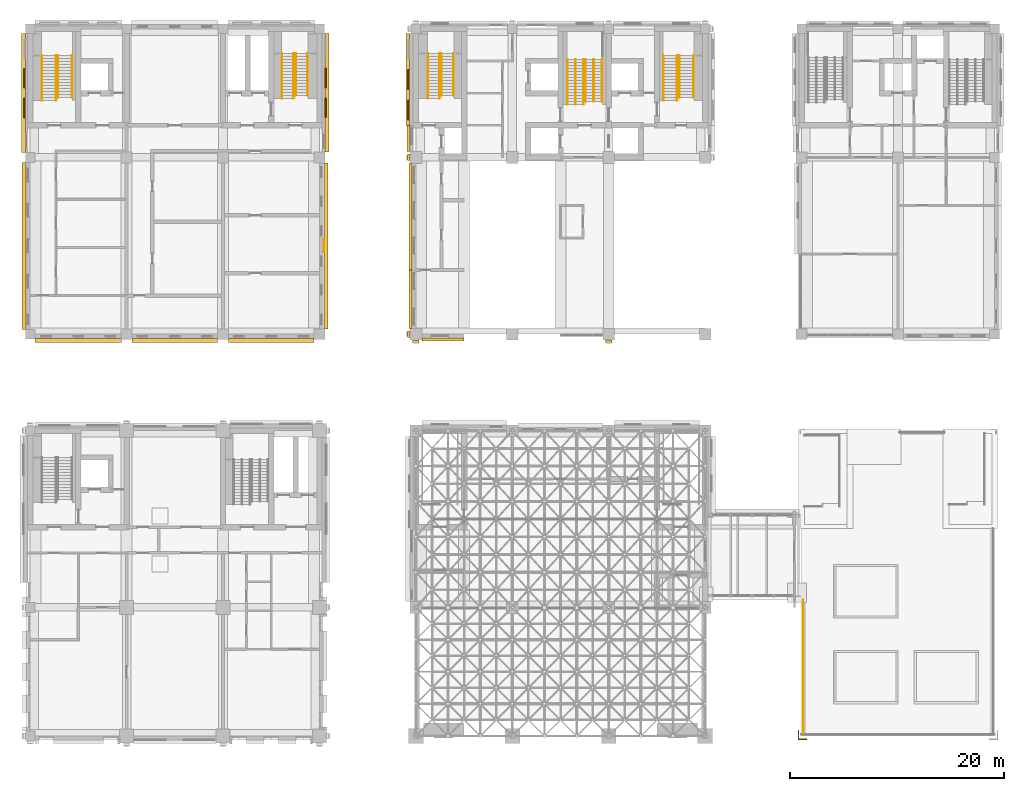
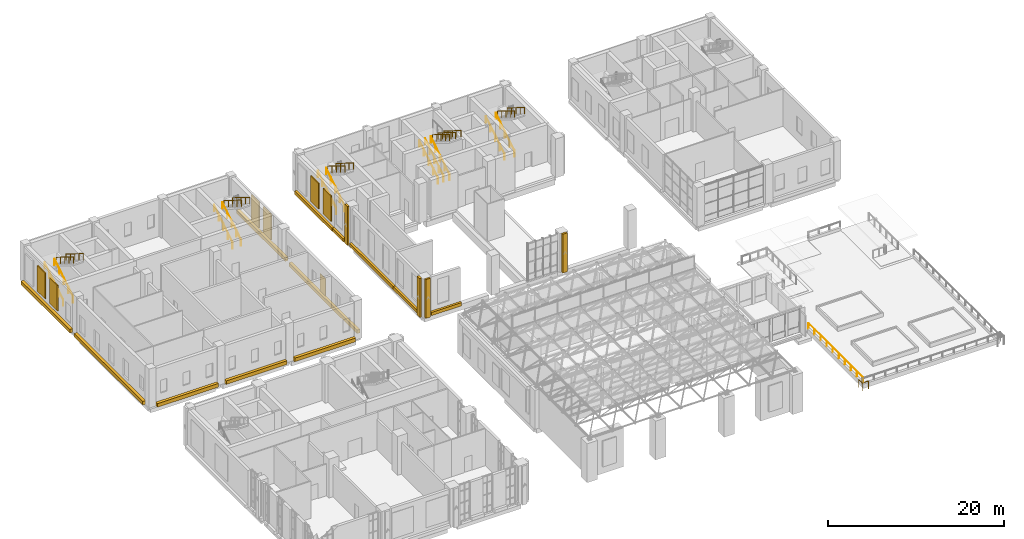
# One storey, part 43 of 53: 24 railings, 23 coverings.
"""IFC4 building model written with IfcOpenShell, lengths in metres."""

from ifc_helpers import new_model, si_unit, direction, frame, origin, origin_2d, place, context, subcontext, project, spatial, rectangle, circle, extrude, material, layer, layer_set, type_object, element, save


model = new_model("IFC4")

# Units and contexts
model_context = context("Model", 3, precision=1e-05, world=origin(), true_north=direction((0.0, 1.0)))
body_context = subcontext(model_context, "Body", "Model", "MODEL_VIEW")
ifc_project = project(units=[si_unit("LENGTHUNIT", "METRE"), si_unit("AREAUNIT", "SQUARE_METRE"), si_unit("VOLUMEUNIT", "CUBIC_METRE"), si_unit("PLANEANGLEUNIT", "RADIAN"), si_unit("MASSUNIT", "GRAM", prefix="KILO")], contexts=[model_context])

# Site, building, storey
site_placement = place(None, origin())
site = spatial("IfcSite", under=ifc_project, at=site_placement, CompositionType="ELEMENT")
building_placement = place(site_placement, origin())
building = spatial("IfcBuilding", under=site, at=building_placement, Name="Aurelan Courthouse", CompositionType="ELEMENT")
storey_placement = place(building_placement, frame((0.0, 0.0, 12.0)))
storey = spatial("IfcBuildingStorey", under=building, at=storey_placement, Name="L02", CompositionType="ELEMENT", Elevation=12.0)

# Coverings
ifc_material_1 = material(Name="Limestone cladding", Category="masonry")
covering_type_1 = type_object("IfcCoveringType", Name="Courtroom Block pilaster fin 600 x 250", PredefinedType="CLADDING", material=ifc_material_1)
for number, where, z_axis, x_axis, name in (
    (1, (36.0, 36.824951171875, 0.0), (0.0, 0.0, 1.0), (1.0, 0.0, 0.0), "Pilaster fin FN-V2-001"),
    (2, (54.0, 36.824951171875, 0.0), (0.0, 0.0, 1.0), (1.0, 0.0, 0.0), "Pilaster fin FN-V2-002"),
):
    element("IfcCovering", number, at=place(storey_placement, frame(where, z_axis=z_axis, x_axis=x_axis)), inside=storey, type_object=covering_type_1, Name=name, PredefinedType="CLADDING", context=body_context, shape_type="SweptSolid", body=[
        extrude(rectangle(XDim=0.60009765625, YDim=0.25, at=origin_2d()), origin(), (0.0, 0.0, 1.0), 5.39990234375),
    ])
for number, where, z_axis, x_axis, name in (
    (3, (35.324951171875, 37.5, 0.0), (0.0, 0.0, 1.0), (1.0, 0.0, 0.0), "Pilaster fin FN-V2-009"),
    (4, (35.324951171875, 54.0, 0.0), (0.0, 0.0, 1.0), (1.0, 0.0, 0.0), "Pilaster fin FN-V2-010"),
):
    element("IfcCovering", number, at=place(storey_placement, frame(where, z_axis=z_axis, x_axis=x_axis)), inside=storey, type_object=covering_type_1, Name=name, PredefinedType="CLADDING", context=body_context, shape_type="SweptSolid", body=[
        extrude(rectangle(XDim=0.25, YDim=0.60009765625, at=origin_2d()), origin(), (0.0, 0.0, 1.0), 5.39990234375),
    ])
covering_type_2 = type_object("IfcCoveringType", Name="Courtroom Block string course 450 x 300", PredefinedType="CLADDING", material=ifc_material_1)
covering_1_placement = place(storey_placement, frame((38.52490234375, 37.0, 0.0), z_axis=(0.0, 0.0, 1.0), x_axis=(1.0, 0.0, 0.0)))
element("IfcCovering", 5, at=covering_1_placement, inside=storey, type_object=covering_type_2, Name="String course SC-V2-001", PredefinedType="CLADDING", context=body_context, shape_type="SweptSolid", body=[
    extrude(rectangle(XDim=3.949951171875, YDim=0.300048828125, at=origin_2d()), origin(), (0.0, 0.0, 1.0), 0.449951171875),
])
covering_2_placement = place(storey_placement, frame((35.5, 40.77490234375, 0.0), z_axis=(0.0, 0.0, 1.0), x_axis=(1.0, 0.0, 0.0)))
element("IfcCovering", 6, at=covering_2_placement, inside=storey, type_object=covering_type_2, Name="String course SC-V2-002", PredefinedType="CLADDING", context=body_context, shape_type="SweptSolid", body=[
    extrude(rectangle(XDim=0.300048828125, YDim=5.449951171875, at=origin_2d()), origin(), (0.0, 0.0, 1.0), 0.449951171875),
])
covering_3_placement = place(storey_placement, frame((35.5, 48.47509765625, 0.0), z_axis=(0.0, 0.0, 1.0), x_axis=(1.0, 0.0, 0.0)))
element("IfcCovering", 7, at=covering_3_placement, inside=storey, type_object=covering_type_2, Name="String course SC-V2-003", PredefinedType="CLADDING", context=body_context, shape_type="SweptSolid", body=[
    extrude(rectangle(XDim=0.300048828125, YDim=9.949951171875, at=origin_2d()), origin(), (0.0, 0.0, 1.0), 0.449951171875),
])
covering_4_placement = place(storey_placement, frame((35.300048828125, 55.77490234375, 0.0), z_axis=(0.0, 0.0, 1.0), x_axis=(1.0, 0.0, 0.0)))
element("IfcCovering", 8, at=covering_4_placement, inside=storey, type_object=covering_type_2, Name="String course SC-V2-004", PredefinedType="CLADDING", context=body_context, shape_type="SweptSolid", body=[
    extrude(rectangle(XDim=0.300048828125, YDim=2.449951171875, at=origin_2d()), origin(), (0.0, 0.0, 1.0), 0.449951171875),
])
covering_5_placement = place(storey_placement, frame((35.25, 61.27490234375, 0.0), z_axis=(0.0, 0.0, 1.0), x_axis=(1.0, 0.0, 0.0)))
element("IfcCovering", 9, at=covering_5_placement, inside=storey, type_object=covering_type_2, Name="String course SC-V2-006", PredefinedType="CLADDING", context=body_context, shape_type="SweptSolid", body=[
    extrude(rectangle(XDim=0.300048828125, YDim=8.550048828125, at=origin_2d()), origin(), (0.0, 0.0, 1.0), 0.449951171875),
])
ifc_material_2 = material(Name="Bronze sheet cladding")
ifc_layer_1 = layer(ifc_material_2, 0.06005859375)
ifc_layer_set_1 = layer_set([ifc_layer_1], Name="Bronze sheet cladding")
covering_type_3 = type_object("IfcCoveringType", Name="Custody Suite blind bay 1200 x 2400", PredefinedType="CLADDING", material=ifc_layer_set_1)
covering_6_placement = place(storey_placement, frame((27.429931640625, 45.75, 0.900146484375), z_axis=(0.0, 0.0, 1.0), x_axis=(1.0, 0.0, 0.0)))
element("IfcCovering", 10, at=covering_6_placement, inside=storey, type_object=covering_type_3, Name="Blind bay BB-V6-L02-007", PredefinedType="CLADDING", context=body_context, shape_type="SweptSolid", body=[
    extrude(rectangle(XDim=0.06005859375, YDim=1.199951171875, at=origin_2d()), origin(), (0.0, 0.0, 1.0), 2.39990234375),
])
covering_type_4 = type_object("IfcCoveringType", Name="Custody Suite string course 500 x 380", PredefinedType="CLADDING", material=ifc_material_1)
covering_7_placement = place(storey_placement, frame((4.47509765625, 36.909912109375, 0.0), z_axis=(0.0, 0.0, 1.0), x_axis=(1.0, 0.0, 0.0)))
element("IfcCovering", 11, at=covering_7_placement, inside=storey, type_object=covering_type_4, Name="String course SC-V6-001", PredefinedType="CLADDING", context=body_context, shape_type="SweptSolid", body=[
    extrude(rectangle(XDim=8.050048828125, YDim=0.3798828125, at=origin_2d()), origin(), (0.0, 0.0, 1.0), 0.5),
])
for number, where, z_axis, x_axis, name in (
    (12, (13.5, 36.909912109375, 0.0), (0.0, 0.0, 1.0), (1.0, 0.0, 0.0), "String course SC-V6-002"),
    (13, (22.5, 36.909912109375, 0.0), (0.0, 0.0, 1.0), (1.0, 0.0, 0.0), "String course SC-V6-003"),
):
    element("IfcCovering", number, at=place(storey_placement, frame(where, z_axis=z_axis, x_axis=x_axis)), inside=storey, type_object=covering_type_4, Name=name, PredefinedType="CLADDING", context=body_context, shape_type="SweptSolid", body=[
        extrude(rectangle(XDim=8.0, YDim=0.3798828125, at=origin_2d()), origin(), (0.0, 0.0, 1.0), 0.5),
    ])
covering_8_placement = place(storey_placement, frame((-0.590087890625, 45.75, 0.0), z_axis=(0.0, 0.0, 1.0), x_axis=(1.0, 0.0, 0.0)))
element("IfcCovering", 14, at=covering_8_placement, inside=storey, type_object=covering_type_4, Name="String course SC-V6-004", PredefinedType="CLADDING", context=body_context, shape_type="SweptSolid", body=[
    extrude(rectangle(XDim=0.3798828125, YDim=15.60009765625, at=origin_2d()), origin(), (0.0, 0.0, 1.0), 0.5),
])
covering_9_placement = place(storey_placement, frame((27.590087890625, 45.75, 0.0), z_axis=(0.0, 0.0, 1.0), x_axis=(1.0, 0.0, 0.0)))
element("IfcCovering", 15, at=covering_9_placement, inside=storey, type_object=covering_type_4, Name="String course SC-V6-005", PredefinedType="CLADDING", context=body_context, shape_type="SweptSolid", body=[
    extrude(rectangle(XDim=0.3798828125, YDim=15.5, at=origin_2d()), origin(), (0.0, 0.0, 1.0), 0.5),
])
covering_10_placement = place(storey_placement, frame((-0.639892578125, 60.0, 0.0), z_axis=(0.0, 0.0, 1.0), x_axis=(1.0, 0.0, 0.0)))
element("IfcCovering", 16, at=covering_10_placement, inside=storey, type_object=covering_type_4, Name="String course SC-V6-006", PredefinedType="CLADDING", context=body_context, shape_type="SweptSolid", body=[
    extrude(rectangle(XDim=0.3798828125, YDim=11.10009765625, at=origin_2d()), origin(), (0.0, 0.0, 1.0), 0.5),
])
covering_11_placement = place(storey_placement, frame((27.68994140625, 60.02490234375, 0.0), z_axis=(0.0, 0.0, 1.0), x_axis=(1.0, 0.0, 0.0)))
element("IfcCovering", 17, at=covering_11_placement, inside=storey, type_object=covering_type_4, Name="String course SC-V6-007", PredefinedType="CLADDING", context=body_context, shape_type="SweptSolid", body=[
    extrude(rectangle(XDim=0.3798828125, YDim=11.050048828125, at=origin_2d()), origin(), (0.0, 0.0, 1.0), 0.5),
])

# Railings
ifc_material_3 = material(Name="Bronze-finished aluminium", Category="aluminium")
railing_type_1 = type_object("IfcRailingType", Name="Garden edge guard 1100", PredefinedType="GUARDRAIL", material=ifc_material_3)
railing_1_placement = place(storey_placement, frame((72.5, -0.300048828125, -0.197998046875)))
element("IfcRailing", 18, at=railing_1_placement, inside=storey, type_object=railing_type_1, Name="Garden edge guard RG-GD05", PredefinedType="GUARDRAIL", context=body_context, shape_type="SweptSolid", body=[
    extrude(circle(Radius=0.02392578125, at=origin_2d()), frame((0.0, 0.0, 1.076171875), z_axis=(-1.0, 0.0, 0.0), x_axis=(0.0, -1.0, 0.0)), (0.0, 0.0, 1.0), 0.800048828125),
    extrude(circle(Radius=0.02392578125, at=origin_2d()), frame((-0.800048828125, 0.0, 1.076171875), z_axis=(0.0, 1.0, 0.0), x_axis=(-1.0, 0.0, 0.0)), (0.0, 0.0, 1.0), 0.800048828125),
    extrude(circle(Radius=0.02099609375, at=origin_2d()), origin(), (0.0, 0.0, 1.0), 1.052001953125),
    extrude(circle(Radius=0.02099609375, at=origin_2d()), frame((-0.800048828125, 0.0, 0.0)), (0.0, 0.0, 1.0), 1.052001953125),
    extrude(circle(Radius=0.02099609375, at=origin_2d()), frame((-0.800048828125, 0.800048828125, 0.0)), (0.0, 0.0, 1.0), 1.052001953125),
])
railing_type_2 = type_object("IfcRailingType", Name="Garden guard 750", PredefinedType="GUARDRAIL", material=ifc_material_3)
railing_2_placement = place(storey_placement, frame((72.14990234375, 0.300048828125, 0.402099609375)))
element("IfcRailing", 19, at=railing_2_placement, inside=storey, type_object=railing_type_2, Name="Garden guard RG-GD03", PredefinedType="GUARDRAIL", context=body_context, shape_type="SweptSolid", body=[
    extrude(circle(Radius=0.02392578125, at=origin_2d()), frame((0.0, 0.0, 0.72607421875), z_axis=(0.0, 1.0, 0.0), x_axis=(-1.0, 0.0, 0.0)), (0.0, 0.0, 1.0), 12.39990234375),
    extrude(circle(Radius=0.02099609375, at=origin_2d()), origin(), (0.0, 0.0, 1.0), 0.701904296875),
    extrude(circle(Radius=0.02099609375, at=origin_2d()), frame((0.0, 1.377685546875, 0.0)), (0.0, 0.0, 1.0), 0.701904296875),
    extrude(circle(Radius=0.02099609375, at=origin_2d()), frame((0.0, 2.755615234375, 0.0)), (0.0, 0.0, 1.0), 0.701904296875),
    extrude(circle(Radius=0.02099609375, at=origin_2d()), frame((0.0, 4.13330078125, 0.0)), (0.0, 0.0, 1.0), 0.701904296875),
    extrude(circle(Radius=0.02099609375, at=origin_2d()), frame((0.0, 5.510986328125, 0.0)), (0.0, 0.0, 1.0), 0.701904296875),
    extrude(circle(Radius=0.02099609375, at=origin_2d()), frame((0.0, 6.888916015625, 0.0)), (0.0, 0.0, 1.0), 0.701904296875),
    extrude(circle(Radius=0.02099609375, at=origin_2d()), frame((0.0, 8.2666015625, 0.0)), (0.0, 0.0, 1.0), 0.701904296875),
    extrude(circle(Radius=0.02099609375, at=origin_2d()), frame((0.0, 9.644287109375, 0.0)), (0.0, 0.0, 1.0), 0.701904296875),
    extrude(circle(Radius=0.02099609375, at=origin_2d()), frame((0.0, 11.022216796875, 0.0)), (0.0, 0.0, 1.0), 0.701904296875),
    extrude(circle(Radius=0.02099609375, at=origin_2d()), frame((0.0, 12.39990234375, 0.0)), (0.0, 0.0, 1.0), 0.701904296875),
])

# Coverings
ifc_layer_2 = layer(ifc_material_2, 0.14990234375)
ifc_layer_set_2 = layer_set([ifc_layer_2], Name="Bronze sheet cladding")
covering_type_5 = type_object("IfcCoveringType", Name="Relief panel 1800 x 3550 x 150", PredefinedType="CLADDING", material=ifc_layer_set_2)
for number, where, z_axis, x_axis, name in (
    (20, (35.324951171875, 58.425048828125, 1.0), (0.0, 0.0, 1.0), (1.0, 0.0, 0.0), "Relief panel RP-V2-012"),
    (21, (35.324951171875, 61.27490234375, 1.0), (0.0, 0.0, 1.0), (1.0, 0.0, 0.0), "Relief panel RP-V2-013"),
    (22, (-0.52490234375, 58.612548828125, 1.0), (0.0, 0.0, 1.0), (1.0, 0.0, 0.0), "Relief panel RP-V6-001"),
    (23, (-0.52490234375, 61.387451171875, 1.0), (0.0, 0.0, 1.0), (1.0, 0.0, 0.0), "Relief panel RP-V6-002"),
    (24, (27.574951171875, 58.643798828125, 1.0), (0.0, 0.0, 1.0), (1.0, 0.0, 0.0), "Relief panel RP-V6-004"),
    (25, (27.574951171875, 61.40625, 1.0), (0.0, 0.0, 1.0), (1.0, 0.0, 0.0), "Relief panel RP-V6-005"),
):
    element("IfcCovering", number, at=place(storey_placement, frame(where, z_axis=z_axis, x_axis=x_axis)), inside=storey, type_object=covering_type_5, Name=name, PredefinedType="CLADDING", context=body_context, shape_type="SweptSolid", body=[
        extrude(rectangle(XDim=0.14990234375, YDim=1.800048828125, at=origin_2d()), origin(), (0.0, 0.0, 1.0), 3.550048828125),
    ])

# Railings
ifc_material_4 = material(Name="Steel S355", Category="steel")
railing_type_3 = type_object("IfcRailingType", Name="Stair handrail 900", PredefinedType="HANDRAIL", material=ifc_material_4)
for number, where, name in (
    (26, (37.110107421875, 59.510009765625, 0.17431640625), "Handrail CS-2-L02-H1"),
    (27, (38.2099609375, 59.510009765625, 0.17431640625), "Handrail CS-2-L02-H2"),
):
    element("IfcRailing", number, at=place(storey_placement, frame(where)), inside=storey, type_object=railing_type_3, Name=name, PredefinedType="HANDRAIL", context=body_context, shape_type="SweptSolid", body=[
        extrude(circle(Radius=0.02392578125, at=origin_2d()), frame((0.0, 0.0, 0.8759765625), z_axis=(0.0, 0.849102848233, 0.528227558088), x_axis=(-1.0, 0.0, 0.0)), (0.0, 0.0, 1.0), 4.9462890625),
        extrude(circle(Radius=0.02099609375, at=origin_2d()), origin(), (0.0, 0.0, 1.0), 0.851806640625),
        extrude(circle(Radius=0.02099609375, at=origin_2d()), frame((0.0, 1.050048828125, 0.6533203125)), (0.0, 0.0, 1.0), 0.851806640625),
        extrude(circle(Radius=0.02099609375, at=origin_2d()), frame((0.0, 2.10009765625, 1.306396484375)), (0.0, 0.0, 1.0), 0.851806640625),
        extrude(circle(Radius=0.02099609375, at=origin_2d()), frame((0.0, 3.14990234375, 1.95947265625)), (0.0, 0.0, 1.0), 0.851806640625),
        extrude(circle(Radius=0.02099609375, at=origin_2d()), frame((0.0, 4.199951171875, 2.61279296875)), (0.0, 0.0, 1.0), 0.851806640625),
    ])
for number, where, name in (
    (28, (38.409912109375, 63.7099609375, 2.961181640625), "Handrail CS-2-L02-H3"),
    (29, (39.510009765625, 63.7099609375, 2.961181640625), "Handrail CS-2-L02-H4"),
):
    element("IfcRailing", number, at=place(storey_placement, frame(where)), inside=storey, type_object=railing_type_3, Name=name, PredefinedType="HANDRAIL", context=body_context, shape_type="SweptSolid", body=[
        extrude(circle(Radius=0.02392578125, at=origin_2d()), frame((0.0, 0.0, 0.8759765625), z_axis=(0.0, -0.849089811655, 0.528248513243), x_axis=(1.0, 0.0, 0.0)), (0.0, 0.0, 1.0), 4.61669921875),
        extrude(circle(Radius=0.02099609375, at=origin_2d()), origin(), (0.0, 0.0, 1.0), 0.851806640625),
        extrude(circle(Radius=0.02099609375, at=origin_2d()), frame((0.0, -0.97998046875, 0.609619140625)), (0.0, 0.0, 1.0), 0.851806640625),
        extrude(circle(Radius=0.02099609375, at=origin_2d()), frame((0.0, -1.9599609375, 1.21923828125)), (0.0, 0.0, 1.0), 0.851806640625),
        extrude(circle(Radius=0.02099609375, at=origin_2d()), frame((0.0, -2.93994140625, 1.8291015625)), (0.0, 0.0, 1.0), 0.851806640625),
        extrude(circle(Radius=0.02099609375, at=origin_2d()), frame((0.0, -3.919921875, 2.438720703125)), (0.0, 0.0, 1.0), 0.851806640625),
    ])
for number, where, name in (
    (30, (23.489990234375, 59.510009765625, 0.17431640625), "Handrail CS-6-L02-H1"),
    (31, (24.590087890625, 59.510009765625, 0.17431640625), "Handrail CS-6-L02-H2"),
):
    element("IfcRailing", number, at=place(storey_placement, frame(where)), inside=storey, type_object=railing_type_3, Name=name, PredefinedType="HANDRAIL", context=body_context, shape_type="SweptSolid", body=[
        extrude(circle(Radius=0.02392578125, at=origin_2d()), frame((0.0, 0.0, 0.8759765625), z_axis=(0.0, 0.849102848233, 0.528227558088), x_axis=(-1.0, 0.0, 0.0)), (0.0, 0.0, 1.0), 4.9462890625),
        extrude(circle(Radius=0.02099609375, at=origin_2d()), origin(), (0.0, 0.0, 1.0), 0.851806640625),
        extrude(circle(Radius=0.02099609375, at=origin_2d()), frame((0.0, 1.050048828125, 0.6533203125)), (0.0, 0.0, 1.0), 0.851806640625),
        extrude(circle(Radius=0.02099609375, at=origin_2d()), frame((0.0, 2.10009765625, 1.306396484375)), (0.0, 0.0, 1.0), 0.851806640625),
        extrude(circle(Radius=0.02099609375, at=origin_2d()), frame((0.0, 3.14990234375, 1.95947265625)), (0.0, 0.0, 1.0), 0.851806640625),
        extrude(circle(Radius=0.02099609375, at=origin_2d()), frame((0.0, 4.199951171875, 2.61279296875)), (0.0, 0.0, 1.0), 0.851806640625),
    ])
for number, where, name in (
    (32, (24.7900390625, 63.7099609375, 2.961181640625), "Handrail CS-6-L02-H3"),
    (33, (25.889892578125, 63.7099609375, 2.961181640625), "Handrail CS-6-L02-H4"),
):
    element("IfcRailing", number, at=place(storey_placement, frame(where)), inside=storey, type_object=railing_type_3, Name=name, PredefinedType="HANDRAIL", context=body_context, shape_type="SweptSolid", body=[
        extrude(circle(Radius=0.02392578125, at=origin_2d()), frame((0.0, 0.0, 0.8759765625), z_axis=(0.0, -0.849089811655, 0.528248513243), x_axis=(1.0, 0.0, 0.0)), (0.0, 0.0, 1.0), 4.61669921875),
        extrude(circle(Radius=0.02099609375, at=origin_2d()), origin(), (0.0, 0.0, 1.0), 0.851806640625),
        extrude(circle(Radius=0.02099609375, at=origin_2d()), frame((0.0, -0.97998046875, 0.609619140625)), (0.0, 0.0, 1.0), 0.851806640625),
        extrude(circle(Radius=0.02099609375, at=origin_2d()), frame((0.0, -1.9599609375, 1.21923828125)), (0.0, 0.0, 1.0), 0.851806640625),
        extrude(circle(Radius=0.02099609375, at=origin_2d()), frame((0.0, -2.93994140625, 1.8291015625)), (0.0, 0.0, 1.0), 0.851806640625),
        extrude(circle(Radius=0.02099609375, at=origin_2d()), frame((0.0, -3.919921875, 2.438720703125)), (0.0, 0.0, 1.0), 0.851806640625),
    ])
for number, where, name in (
    (34, (50.14990234375, 58.9599609375, 0.17431640625), "Handrail ST-2A-L02-H1"),
    (35, (51.64990234375, 58.9599609375, 0.17431640625), "Handrail ST-2A-L02-H2"),
    (36, (50.89990234375, 58.9599609375, 0.17431640625), "Handrail ST-2A-L02-H3"),
):
    element("IfcRailing", number, at=place(storey_placement, frame(where)), inside=storey, type_object=railing_type_3, Name=name, PredefinedType="HANDRAIL", context=body_context, shape_type="SweptSolid", body=[
        extrude(circle(Radius=0.02392578125, at=origin_2d()), frame((0.0, 0.0, 0.8759765625), z_axis=(0.0, 0.849102848233, 0.528227558088), x_axis=(-1.0, 0.0, 0.0)), (0.0, 0.0, 1.0), 4.9462890625),
        extrude(circle(Radius=0.02099609375, at=origin_2d()), origin(), (0.0, 0.0, 1.0), 0.851806640625),
        extrude(circle(Radius=0.02099609375, at=origin_2d()), frame((0.0, 1.050048828125, 0.6533203125)), (0.0, 0.0, 1.0), 0.851806640625),
        extrude(circle(Radius=0.02099609375, at=origin_2d()), frame((0.0, 2.10009765625, 1.306396484375)), (0.0, 0.0, 1.0), 0.851806640625),
        extrude(circle(Radius=0.02099609375, at=origin_2d()), frame((0.0, 3.14990234375, 1.95947265625)), (0.0, 0.0, 1.0), 0.851806640625),
        extrude(circle(Radius=0.02099609375, at=origin_2d()), frame((0.0, 4.199951171875, 2.61279296875)), (0.0, 0.0, 1.0), 0.851806640625),
    ])
for number, where, name in (
    (37, (51.85009765625, 63.159912109375, 2.961181640625), "Handrail ST-2A-L02-H4"),
    (38, (53.35009765625, 63.159912109375, 2.961181640625), "Handrail ST-2A-L02-H5"),
    (39, (52.60009765625, 63.159912109375, 2.961181640625), "Handrail ST-2A-L02-H6"),
):
    element("IfcRailing", number, at=place(storey_placement, frame(where)), inside=storey, type_object=railing_type_3, Name=name, PredefinedType="HANDRAIL", context=body_context, shape_type="SweptSolid", body=[
        extrude(circle(Radius=0.02392578125, at=origin_2d()), frame((0.0, 0.0, 0.8759765625), z_axis=(0.0, -0.849089811655, 0.528248513243), x_axis=(1.0, 0.0, 0.0)), (0.0, 0.0, 1.0), 4.61669921875),
        extrude(circle(Radius=0.02099609375, at=origin_2d()), origin(), (0.0, 0.0, 1.0), 0.851806640625),
        extrude(circle(Radius=0.02099609375, at=origin_2d()), frame((0.0, -0.97998046875, 0.609619140625)), (0.0, 0.0, 1.0), 0.851806640625),
        extrude(circle(Radius=0.02099609375, at=origin_2d()), frame((0.0, -1.9599609375, 1.21923828125)), (0.0, 0.0, 1.0), 0.851806640625),
        extrude(circle(Radius=0.02099609375, at=origin_2d()), frame((0.0, -2.93994140625, 1.8291015625)), (0.0, 0.0, 1.0), 0.851806640625),
        extrude(circle(Radius=0.02099609375, at=origin_2d()), frame((0.0, -3.919921875, 2.438720703125)), (0.0, 0.0, 1.0), 0.851806640625),
    ])
for number, where, name in (
    (40, (59.090087890625, 59.31005859375, 0.17431640625), "Handrail ST-2E-L02-H1"),
    (41, (60.389892578125, 59.31005859375, 0.17431640625), "Handrail ST-2E-L02-H2"),
):
    element("IfcRailing", number, at=place(storey_placement, frame(where)), inside=storey, type_object=railing_type_3, Name=name, PredefinedType="HANDRAIL", context=body_context, shape_type="SweptSolid", body=[
        extrude(circle(Radius=0.02392578125, at=origin_2d()), frame((0.0, 0.0, 0.8759765625), z_axis=(0.0, 0.849102848233, 0.528227558088), x_axis=(-1.0, 0.0, 0.0)), (0.0, 0.0, 1.0), 4.9462890625),
        extrude(circle(Radius=0.02099609375, at=origin_2d()), origin(), (0.0, 0.0, 1.0), 0.851806640625),
        extrude(circle(Radius=0.02099609375, at=origin_2d()), frame((0.0, 1.050048828125, 0.6533203125)), (0.0, 0.0, 1.0), 0.851806640625),
        extrude(circle(Radius=0.02099609375, at=origin_2d()), frame((0.0, 2.10009765625, 1.306396484375)), (0.0, 0.0, 1.0), 0.851806640625),
        extrude(circle(Radius=0.02099609375, at=origin_2d()), frame((0.0, 3.14990234375, 1.95947265625)), (0.0, 0.0, 1.0), 0.851806640625),
        extrude(circle(Radius=0.02099609375, at=origin_2d()), frame((0.0, 4.199951171875, 2.61279296875)), (0.0, 0.0, 1.0), 0.851806640625),
    ])
for number, where, name in (
    (42, (60.590087890625, 63.510009765625, 2.961181640625), "Handrail ST-2E-L02-H3"),
    (43, (61.889892578125, 63.510009765625, 2.961181640625), "Handrail ST-2E-L02-H4"),
):
    element("IfcRailing", number, at=place(storey_placement, frame(where)), inside=storey, type_object=railing_type_3, Name=name, PredefinedType="HANDRAIL", context=body_context, shape_type="SweptSolid", body=[
        extrude(circle(Radius=0.02392578125, at=origin_2d()), frame((0.0, 0.0, 0.8759765625), z_axis=(0.0, -0.849089811655, 0.528248513243), x_axis=(1.0, 0.0, 0.0)), (0.0, 0.0, 1.0), 4.61669921875),
        extrude(circle(Radius=0.02099609375, at=origin_2d()), origin(), (0.0, 0.0, 1.0), 0.851806640625),
        extrude(circle(Radius=0.02099609375, at=origin_2d()), frame((0.0, -0.97998046875, 0.609619140625)), (0.0, 0.0, 1.0), 0.851806640625),
        extrude(circle(Radius=0.02099609375, at=origin_2d()), frame((0.0, -1.9599609375, 1.21923828125)), (0.0, 0.0, 1.0), 0.851806640625),
        extrude(circle(Radius=0.02099609375, at=origin_2d()), frame((0.0, -2.93994140625, 1.8291015625)), (0.0, 0.0, 1.0), 0.851806640625),
        extrude(circle(Radius=0.02099609375, at=origin_2d()), frame((0.0, -3.919921875, 2.438720703125)), (0.0, 0.0, 1.0), 0.851806640625),
    ])
for number, where, name in (
    (44, (1.110107421875, 59.31005859375, 0.17431640625), "Handrail ST-6-L02-H1"),
    (45, (2.409912109375, 59.31005859375, 0.17431640625), "Handrail ST-6-L02-H2"),
):
    element("IfcRailing", number, at=place(storey_placement, frame(where)), inside=storey, type_object=railing_type_3, Name=name, PredefinedType="HANDRAIL", context=body_context, shape_type="SweptSolid", body=[
        extrude(circle(Radius=0.02392578125, at=origin_2d()), frame((0.0, 0.0, 0.8759765625), z_axis=(0.0, 0.849102848233, 0.528227558088), x_axis=(-1.0, 0.0, 0.0)), (0.0, 0.0, 1.0), 4.9462890625),
        extrude(circle(Radius=0.02099609375, at=origin_2d()), origin(), (0.0, 0.0, 1.0), 0.851806640625),
        extrude(circle(Radius=0.02099609375, at=origin_2d()), frame((0.0, 1.050048828125, 0.6533203125)), (0.0, 0.0, 1.0), 0.851806640625),
        extrude(circle(Radius=0.02099609375, at=origin_2d()), frame((0.0, 2.10009765625, 1.306396484375)), (0.0, 0.0, 1.0), 0.851806640625),
        extrude(circle(Radius=0.02099609375, at=origin_2d()), frame((0.0, 3.14990234375, 1.95947265625)), (0.0, 0.0, 1.0), 0.851806640625),
        extrude(circle(Radius=0.02099609375, at=origin_2d()), frame((0.0, 4.199951171875, 2.61279296875)), (0.0, 0.0, 1.0), 0.851806640625),
    ])
for number, where, name in (
    (46, (2.610107421875, 63.510009765625, 2.961181640625), "Handrail ST-6-L02-H3"),
    (47, (3.909912109375, 63.510009765625, 2.961181640625), "Handrail ST-6-L02-H4"),
):
    element("IfcRailing", number, at=place(storey_placement, frame(where)), inside=storey, type_object=railing_type_3, Name=name, PredefinedType="HANDRAIL", context=body_context, shape_type="SweptSolid", body=[
        extrude(circle(Radius=0.02392578125, at=origin_2d()), frame((0.0, 0.0, 0.8759765625), z_axis=(0.0, -0.849089811655, 0.528248513243), x_axis=(1.0, 0.0, 0.0)), (0.0, 0.0, 1.0), 4.61669921875),
        extrude(circle(Radius=0.02099609375, at=origin_2d()), origin(), (0.0, 0.0, 1.0), 0.851806640625),
        extrude(circle(Radius=0.02099609375, at=origin_2d()), frame((0.0, -0.97998046875, 0.609619140625)), (0.0, 0.0, 1.0), 0.851806640625),
        extrude(circle(Radius=0.02099609375, at=origin_2d()), frame((0.0, -1.9599609375, 1.21923828125)), (0.0, 0.0, 1.0), 0.851806640625),
        extrude(circle(Radius=0.02099609375, at=origin_2d()), frame((0.0, -2.93994140625, 1.8291015625)), (0.0, 0.0, 1.0), 0.851806640625),
        extrude(circle(Radius=0.02099609375, at=origin_2d()), frame((0.0, -3.919921875, 2.438720703125)), (0.0, 0.0, 1.0), 0.851806640625),
    ])

save(model, "model.ifc")
